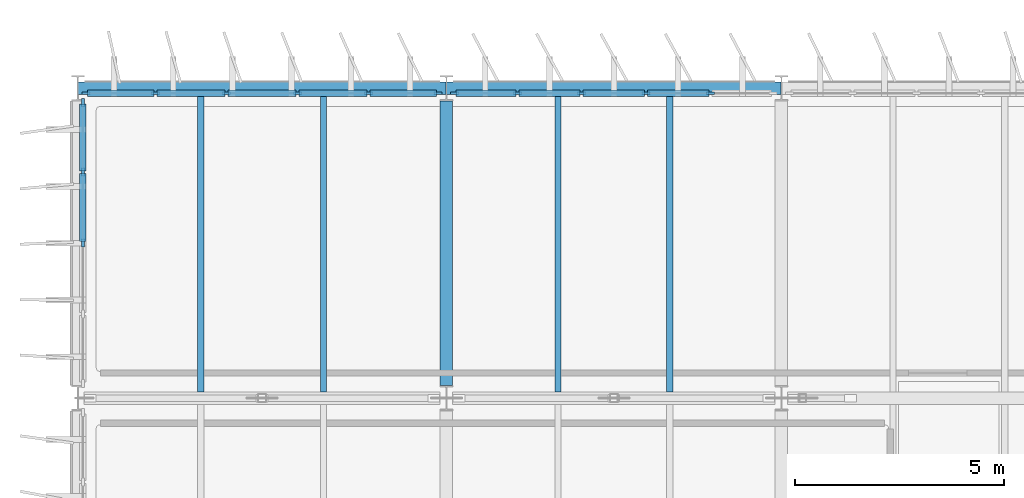
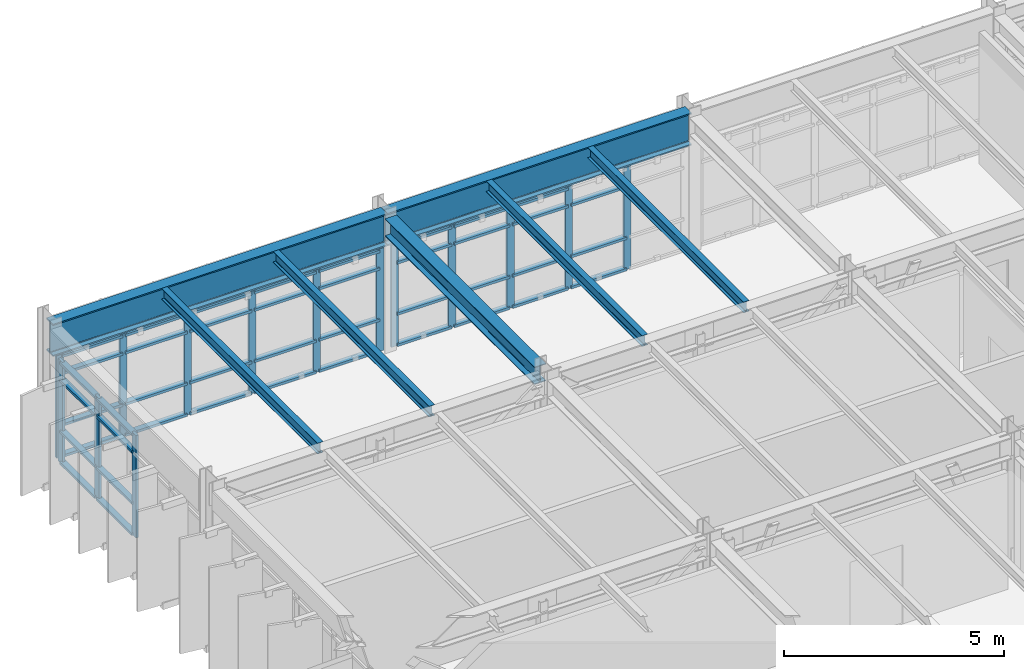
# One storey, part 15 of 56: 57 members, 7 beams, 3 elements without a shape of their own.
"""IFC4 building model written with IfcOpenShell, lengths in metres."""

import ifcopenshell
import ifcopenshell.guid

model = None  # the IFC model being written
_history = None  # IfcOwnerHistory: only IFC2X3 demands one
_inside = {}  # id of a spatial element -> (the spatial element, [elements in it])
_under = {}  # id of a project, library or spatial element -> (it, [spatial elements below it])
_declared = {}  # id of a project -> (the project, [libraries it declares])
_typed = {}  # id of a type object -> (the type object, [elements of that type])
_made_of = {}  # id of a material, layer set ... -> (it, [elements and type objects made of it])


def new_model(schema):
    """Start an empty IFC model of exactly this schema.

    Asked for "IFC4X3", IfcOpenShell would pick the latest addendum, in which some entities
    have other attributes; the version numbers below select the first issue.
    IFC2X3 requires an IfcOwnerHistory on every rooted entity: one is made here for all.
    """
    global model, _history
    if schema == "IFC4X3":
        model = ifcopenshell.file(schema_version=(4, 3, 0, 0))
    else:
        model = ifcopenshell.file(schema=schema)
    _inside.clear()
    _under.clear()
    _declared.clear()
    _typed.clear()
    _made_of.clear()
    _history = None
    if model.schema == "IFC2X3":
        org = make("IfcOrganization", Name="unknown")
        user = make(
            "IfcPersonAndOrganization",
            ThePerson=make("IfcPerson", FamilyName="unknown"),
            TheOrganization=org,
        )
        app = make(
            "IfcApplication",
            ApplicationDeveloper=org,
            Version="unknown",
            ApplicationFullName="unknown",
            ApplicationIdentifier="unknown",
        )
        _history = make(
            "IfcOwnerHistory",
            OwningUser=user,
            OwningApplication=app,
            ChangeAction="ADDED",
            CreationDate=0,
        )
    return model


def make(cls, **values):
    """One entity of the class cls with the attributes given. An attribute that is None is left unset."""
    return model.create_entity(
        cls, **{name: value for name, value in values.items() if value is not None}
    )


def rooted(cls, **values):
    """An entity with a GlobalId (a new one), such as an element, a storey or a relation."""
    return make(cls, GlobalId=ifcopenshell.guid.new(), OwnerHistory=_history, **values)


def si_unit(unit_type, name, prefix=None):
    """IfcSIUnit, for example si_unit("LENGTHUNIT", "METRE", prefix="MILLI")."""
    return make("IfcSIUnit", UnitType=unit_type, Prefix=prefix, Name=name)


def assignment(units):
    """IfcUnitAssignment: the units of a project."""
    return None if units is None else make("IfcUnitAssignment", Units=units)


def point(xyz):
    """IfcCartesianPoint."""
    return None if xyz is None else make("IfcCartesianPoint", Coordinates=xyz)


def direction(xyz):
    """IfcDirection."""
    return None if xyz is None else make("IfcDirection", DirectionRatios=xyz)


def frame(location, z_axis=None, x_axis=None):
    """IfcAxis2Placement3D, a coordinate frame: its origin and axes. An axis left out is left unset."""
    return make(
        "IfcAxis2Placement3D",
        Location=point(location),
        Axis=direction(z_axis),
        RefDirection=direction(x_axis),
    )


def frame_2d(location, x_axis=None):
    """IfcAxis2Placement2D, a coordinate frame in the plane: its origin and x axis."""
    return make(
        "IfcAxis2Placement2D", Location=point(location), RefDirection=direction(x_axis)
    )


def origin():
    """The frame at (0, 0, 0) with its axes left unset."""
    return frame((0.0, 0.0, 0.0))


def origin_2d():
    """The frame at (0, 0) in the plane with its x axis left unset."""
    return frame_2d((0.0, 0.0))


def place(relative_to, where):
    """IfcLocalPlacement: puts the frame where relative to a parent placement (None: the world)."""
    return make(
        "IfcLocalPlacement", PlacementRelTo=relative_to, RelativePlacement=where
    )


def context(
    kind, dimensions, precision=None, world=None, true_north=None, identifier=None
):
    """IfcGeometricRepresentationContext, for example the 3D "Model" context."""
    return make(
        "IfcGeometricRepresentationContext",
        ContextIdentifier=identifier,
        ContextType=kind,
        CoordinateSpaceDimension=dimensions,
        Precision=precision,
        WorldCoordinateSystem=world,
        TrueNorth=true_north,
    )


def subcontext(parent, identifier, kind, view, scale=None):
    """IfcGeometricRepresentationSubContext, for example "Body" below "Model"."""
    return make(
        "IfcGeometricRepresentationSubContext",
        ContextIdentifier=identifier,
        ContextType=kind,
        ParentContext=parent,
        TargetScale=scale,
        TargetView=view,
    )


def project(units=None, contexts=None):
    """IfcProject with its units and contexts."""
    return rooted(
        "IfcProject",
        Name="project",
        RepresentationContexts=contexts,
        UnitsInContext=assignment(units),
    )


def spatial(cls, under=None, at=None, **own):
    """A site, building, storey or space (cls), placed at a placement, below another one or the project."""
    s = rooted(cls, ObjectPlacement=at, **own)
    if under is not None:
        _under.setdefault(under.id(), (under, []))[1].append(s)
    return s


def profile(cls, at=None, kind="AREA", **sizes):
    """A parametric profile (cls). Its sizes go by their IFC names, for example OverallWidth=200.0."""
    return make(cls, ProfileType=kind, Position=at, **sizes)


def rectangle(**sizes):
    """IfcRectangleProfileDef."""
    return profile("IfcRectangleProfileDef", **sizes)


def i_section(**sizes):
    """IfcIShapeProfileDef."""
    return profile("IfcIShapeProfileDef", **sizes)


def extrude(swept, where, along, depth):
    """IfcExtrudedAreaSolid: the profile swept, set in the frame where, extruded along a direction by depth."""
    return make(
        "IfcExtrudedAreaSolid",
        SweptArea=swept,
        Position=where,
        ExtrudedDirection=direction(along),
        Depth=depth,
    )


def shape(context_of_items, identifier, shape_type, items):
    """IfcShapeRepresentation: the items that make up one representation, for example the "Body"."""
    return make(
        "IfcShapeRepresentation",
        ContextOfItems=context_of_items,
        RepresentationIdentifier=identifier,
        RepresentationType=shape_type,
        Items=items,
    )


def material(Name=None, Category=None):
    """IfcMaterial."""
    return make("IfcMaterial", Name=Name, Category=Category)


def layer(
    of_material, thickness, ventilated=None, Name=None, Category=None, Priority=None
):
    """IfcMaterialLayer: one layer of a wall or slab, of a material (None: an air gap)."""
    return make(
        "IfcMaterialLayer",
        Material=of_material,
        LayerThickness=thickness,
        IsVentilated=ventilated,
        Name=Name,
        Category=Category,
        Priority=Priority,
    )


def layer_set(layers, Name=None):
    """IfcMaterialLayerSet."""
    return make("IfcMaterialLayerSet", MaterialLayers=layers, LayerSetName=Name)


def material_profile(
    of_material, cross_section, Name=None, Category=None, Priority=None
):
    """IfcMaterialProfile: a cross section and its material."""
    return make(
        "IfcMaterialProfile",
        Name=Name,
        Material=of_material,
        Profile=cross_section,
        Priority=Priority,
        Category=Category,
    )


def profile_set(profiles, Name=None, composite=None):
    """IfcMaterialProfileSet."""
    return make(
        "IfcMaterialProfileSet",
        Name=Name,
        MaterialProfiles=profiles,
        CompositeProfile=composite,
    )


def made_of(thing, what):
    """Note that an element or type object is made of a material, layer set ...; save() writes the relation."""
    if what is not None:
        _made_of.setdefault(what.id(), (what, []))[1].append(thing)
    return thing


def type_object(cls, material=None, **own):
    """A type object (cls), such as IfcWallType, which elements share."""
    return made_of(rooted(cls, **own), material)


def element(
    cls,
    number,
    at=None,
    inside=None,
    cuts=None,
    type_object=None,
    material=None,
    context=None,
    identifier="Body",
    shape_type=None,
    held_by="IfcProductDefinitionShape",
    body=None,
    shapes=None,
    **own,
):
    """One element of the class cls, such as IfcWall. Its Tag is "e" and its number.

    at: its placement. inside: the storey or other place that contains it. cuts: it is an
    opening in that element (IfcRelVoidsElement). A single representation is given by context,
    identifier, shape_type and body (its items); several are given by shapes. held_by: the class
    of the entity that holds the representations. save() writes the other relations.
    """
    e = rooted(cls, Tag="e%d" % number, ObjectPlacement=at, **own)
    if body is not None:
        shapes = [shape(context, identifier, shape_type, body)]
    if shapes is not None:
        e.Representation = make(held_by, Representations=shapes)
    if inside is not None:
        _inside.setdefault(inside.id(), (inside, []))[1].append(e)
    if cuts is not None:
        rooted(
            "IfcRelVoidsElement", RelatingBuildingElement=cuts, RelatedOpeningElement=e
        )
    if type_object is not None:
        _typed.setdefault(type_object.id(), (type_object, []))[1].append(e)
    return made_of(e, material)


def aggregate(whole, parts):
    """IfcRelAggregates: a whole, such as a stair, and the parts it consists of."""
    return rooted("IfcRelAggregates", RelatingObject=whole, RelatedObjects=parts)


def save(model, path):
    """Write the relations noted so far, then the file.

    IfcRelAggregates (storeys below a building ...), IfcRelContainedInSpatialStructure (elements
    in a storey), IfcRelDefinesByType, IfcRelAssociatesMaterial and IfcRelDeclares: one each for
    every whole, place, type object, material and project.
    """
    for whole, parts in _under.values():
        aggregate(whole, parts)
    for where, things in _inside.values():
        rooted(
            "IfcRelContainedInSpatialStructure",
            RelatedElements=things,
            RelatingStructure=where,
        )
    for kind, things in _typed.values():
        rooted("IfcRelDefinesByType", RelatedObjects=things, RelatingType=kind)
    for what, things in _made_of.values():
        rooted("IfcRelAssociatesMaterial", RelatedObjects=things, RelatingMaterial=what)
    for by, libraries in _declared.values():
        rooted("IfcRelDeclares", RelatingContext=by, RelatedDefinitions=libraries)
    model.write(path)


model = new_model("IFC4")

# Units and contexts
model_context = context("Model", 3, precision=1e-05, world=origin(), true_north=direction((0.0, 1.0)))
body_context = subcontext(model_context, "Body", "Model", "MODEL_VIEW")
ifc_project = project(units=[si_unit("LENGTHUNIT", "METRE"), si_unit("AREAUNIT", "SQUARE_METRE"), si_unit("VOLUMEUNIT", "CUBIC_METRE"), si_unit("PLANEANGLEUNIT", "RADIAN"), si_unit("MASSUNIT", "GRAM", prefix="KILO")], contexts=[model_context])

# Site, building, storey
site_placement = place(None, origin())
site = spatial("IfcSite", under=ifc_project, at=site_placement, CompositionType="ELEMENT")
building_placement = place(site_placement, origin())
building = spatial("IfcBuilding", under=site, at=building_placement, Name="Valkorina Park Police Headquarters", CompositionType="ELEMENT")
storey_placement = place(building_placement, frame((0.0, 0.0, 14.10009765625)))
storey = spatial("IfcBuildingStorey", under=building, at=storey_placement, Name="L04", CompositionType="ELEMENT", Elevation=14.10009765625)

# Beams
ifc_material_1 = material(Name="Steel S355", Category="steel")
ifc_material_profile_1 = material_profile(ifc_material_1, i_section(OverallWidth=0.300048828125, OverallDepth=0.489990234375, WebThickness=0.011962890625, FlangeThickness=0.02294921875, FilletRadius=0.027099609375, at=origin_2d()), Name="HEA 500")
ifc_profile_set_1 = profile_set([ifc_material_profile_1], Name="Steel S355")
beam_type_1 = type_object("IfcBeamType", Name="BM-S355-HEA500-BM", PredefinedType="BEAM", material=ifc_profile_set_1)
beam_1_placement = place(storey_placement, frame((8.800048828125, 52.10009765625, 3.510009765625), z_axis=(0.0, 1.0, 0.0), x_axis=(-1.0, 0.0, 0.0)))
element("IfcBeam", 1, at=beam_1_placement, inside=storey, type_object=beam_type_1, Name="L04 Framing Beam 2306", PredefinedType="BEAM", context=body_context, shape_type="SweptSolid", body=[
    extrude(i_section(OverallWidth=0.300048828125, OverallDepth=0.489990234375, WebThickness=0.011962890625, FlangeThickness=0.02294921875, FilletRadius=0.027099609375, at=origin_2d()), origin(), (0.0, 0.0, 1.0), 6.7998046875),
])
ifc_material_profile_2 = material_profile(ifc_material_1, i_section(OverallWidth=0.300048828125, OverallDepth=0.89990234375, WebThickness=0.0185546875, FlangeThickness=0.034912109375, FilletRadius=0.030029296875, at=origin_2d()), Name="HEB 900")
ifc_profile_set_2 = profile_set([ifc_material_profile_2], Name="Steel S355")
beam_type_2 = type_object("IfcBeamType", Name="BM-S355-HEB900-EXT", PredefinedType="SPANDREL", material=ifc_profile_set_2)
beam_2_placement = place(storey_placement, frame((0.0078125, 59.199951171875, 3.304931640625), z_axis=(1.0, 0.0, 0.0), x_axis=(0.0, 1.0, 0.0)))
element("IfcBeam", 2, at=beam_2_placement, inside=storey, type_object=beam_type_2, Name="L04 Framing Beam 2249", PredefinedType="SPANDREL", context=body_context, shape_type="SweptSolid", body=[
    extrude(i_section(OverallWidth=0.300048828125, OverallDepth=0.89990234375, WebThickness=0.0185546875, FlangeThickness=0.034912109375, FilletRadius=0.030029296875, at=origin_2d()), origin(), (0.0, 0.0, 1.0), 8.784423828125),
])
beam_3_placement = place(storey_placement, frame((8.8076171875, 59.199951171875, 3.304931640625), z_axis=(1.0, 0.0, 0.0), x_axis=(0.0, 1.0, 0.0)))
element("IfcBeam", 3, at=beam_3_placement, inside=storey, type_object=beam_type_2, Name="L04 Framing Beam 2250", PredefinedType="SPANDREL", context=body_context, shape_type="SweptSolid", body=[
    extrude(i_section(OverallWidth=0.300048828125, OverallDepth=0.89990234375, WebThickness=0.0185546875, FlangeThickness=0.034912109375, FilletRadius=0.030029296875, at=origin_2d()), origin(), (0.0, 0.0, 1.0), 7.984619140625),
])
ifc_material_profile_3 = material_profile(ifc_material_1, i_section(OverallWidth=0.14990234375, OverallDepth=0.300048828125, WebThickness=0.007080078125, FlangeThickness=0.0107421875, FilletRadius=0.014892578125, at=origin_2d()), Name="IPE 300")
ifc_profile_set_3 = profile_set([ifc_material_profile_3], Name="Steel S355")
beam_type_3 = type_object("IfcBeamType", Name="BM-S355-IPE300-JST", PredefinedType="JOIST", material=ifc_profile_set_3)
for number, where, z_axis, x_axis, name in (
    (4, (2.933349609375, 51.949951171875, 3.60498046875), (0.0, 1.0, 0.0), (-1.0, 0.0, 0.0), "L04 Framing Beam 2298"),
    (5, (5.86669921875, 51.949951171875, 3.60498046875), (0.0, 1.0, 0.0), (-1.0, 0.0, 0.0), "L04 Framing Beam 2299"),
    (6, (11.466796875, 51.949951171875, 3.60498046875), (0.0, 1.0, 0.0), (-1.0, 0.0, 0.0), "L04 Framing Beam 2307"),
    (7, (14.13330078125, 51.949951171875, 3.60498046875), (0.0, 1.0, 0.0), (-1.0, 0.0, 0.0), "L04 Framing Beam 2308"),
):
    element("IfcBeam", number, at=place(storey_placement, frame(where, z_axis=z_axis, x_axis=x_axis)), inside=storey, type_object=beam_type_3, Name=name, PredefinedType="JOIST", context=body_context, shape_type="SweptSolid", body=[
        extrude(i_section(OverallWidth=0.14990234375, OverallDepth=0.300048828125, WebThickness=0.007080078125, FlangeThickness=0.0107421875, FilletRadius=0.014892578125, at=origin_2d()), origin(), (0.0, 0.0, 1.0), 7.10009765625),
    ])

# Curtain wall, members
ifc_material_2 = material(Name="Thermally broken aluminium AW-6060", Category="aluminium")
ifc_layer_1 = layer(ifc_material_2, 0.18994140625)
ifc_layer_set_1 = layer_set([ifc_layer_1], Name="Thermally broken aluminium AW-6060")
curtain_wall_type_1 = type_object("IfcCurtainWallType", Name="CW-V5-8480x2840", PredefinedType="NOTDEFINED", material=ifc_layer_set_1)
curtain_wall_1_placement = place(storey_placement, origin())
curtain_wall_1 = element("IfcCurtainWall", 8, at=curtain_wall_1_placement, inside=storey, type_object=curtain_wall_type_1, Name="L04 Unitised Curtain Wall 030", PredefinedType="NOTDEFINED")
ifc_material_profile_4 = material_profile(ifc_material_2, rectangle(XDim=0.070068359375, YDim=0.18994140625, at=origin_2d()), Name="CWM-02 70x190")
ifc_profile_set_4 = profile_set([ifc_material_profile_4], Name="Thermally broken aluminium AW-6060")
member_type_1 = type_object("IfcMemberType", Name="CWM-70x190", PredefinedType="MULLION", material=ifc_profile_set_4)
member_1_placement = place(storey_placement, frame((0.195068359375, 59.080078125, 0.0), z_axis=(0.0, 0.0, 1.0), x_axis=(0.0, 1.0, 0.0)))
member_1 = element("IfcMember", 9, at=member_1_placement, type_object=member_type_1, Name="CW-V5-848-284 mullion 1", PredefinedType="MULLION", context=body_context, shape_type="SweptSolid", body=[
    extrude(rectangle(XDim=0.070068359375, YDim=0.18994140625, at=origin_2d()), origin(), (0.0, 0.0, 1.0), 2.844970703125),
])
member_2_placement = place(storey_placement, frame((1.85595703125, 59.080078125, 0.0), z_axis=(0.0, 0.0, 1.0), x_axis=(0.0, 1.0, 0.0)))
member_2 = element("IfcMember", 10, at=member_2_placement, type_object=member_type_1, Name="CW-V5-848-284 mullion 2", PredefinedType="MULLION", context=body_context, shape_type="SweptSolid", body=[
    extrude(rectangle(XDim=0.070068359375, YDim=0.18994140625, at=origin_2d()), origin(), (0.0, 0.0, 1.0), 2.844970703125),
])
member_3_placement = place(storey_placement, frame((3.552001953125, 59.080078125, 0.0), z_axis=(0.0, 0.0, 1.0), x_axis=(0.0, 1.0, 0.0)))
member_3 = element("IfcMember", 11, at=member_3_placement, type_object=member_type_1, Name="CW-V5-848-284 mullion 3", PredefinedType="MULLION", context=body_context, shape_type="SweptSolid", body=[
    extrude(rectangle(XDim=0.070068359375, YDim=0.18994140625, at=origin_2d()), origin(), (0.0, 0.0, 1.0), 2.844970703125),
])
member_4_placement = place(storey_placement, frame((5.248046875, 59.080078125, 0.0), z_axis=(0.0, 0.0, 1.0), x_axis=(0.0, 1.0, 0.0)))
member_4 = element("IfcMember", 12, at=member_4_placement, type_object=member_type_1, Name="CW-V5-848-284 mullion 4", PredefinedType="MULLION", context=body_context, shape_type="SweptSolid", body=[
    extrude(rectangle(XDim=0.070068359375, YDim=0.18994140625, at=origin_2d()), origin(), (0.0, 0.0, 1.0), 2.844970703125),
])
member_5_placement = place(storey_placement, frame((6.944091796875, 59.080078125, 0.0), z_axis=(0.0, 0.0, 1.0), x_axis=(0.0, 1.0, 0.0)))
member_5 = element("IfcMember", 13, at=member_5_placement, type_object=member_type_1, Name="CW-V5-848-284 mullion 5", PredefinedType="MULLION", context=body_context, shape_type="SweptSolid", body=[
    extrude(rectangle(XDim=0.070068359375, YDim=0.18994140625, at=origin_2d()), origin(), (0.0, 0.0, 1.0), 2.844970703125),
])
member_6_placement = place(storey_placement, frame((8.60498046875, 59.080078125, 0.0), z_axis=(0.0, 0.0, 1.0), x_axis=(0.0, 1.0, 0.0)))
member_6 = element("IfcMember", 14, at=member_6_placement, type_object=member_type_1, Name="CW-V5-848-284 mullion 6", PredefinedType="MULLION", context=body_context, shape_type="SweptSolid", body=[
    extrude(rectangle(XDim=0.070068359375, YDim=0.18994140625, at=origin_2d()), origin(), (0.0, 0.0, 1.0), 2.844970703125),
])

ifc_layer_2 = layer(ifc_material_2, 0.18994140625)
ifc_layer_set_2 = layer_set([ifc_layer_2], Name="Thermally broken aluminium AW-6060")
curtain_wall_type_2 = type_object("IfcCurtainWallType", Name="CW-V5-7680x2840", PredefinedType="NOTDEFINED", material=ifc_layer_set_2)
curtain_wall_2_placement = place(storey_placement, origin())
curtain_wall_2 = element("IfcCurtainWall", 15, at=curtain_wall_2_placement, inside=storey, type_object=curtain_wall_type_2, Name="L04 Unitised Curtain Wall 031", PredefinedType="NOTDEFINED")
member_7_placement = place(storey_placement, frame((8.9951171875, 59.080078125, 0.0), z_axis=(0.0, 0.0, 1.0), x_axis=(0.0, 1.0, 0.0)))
member_7 = element("IfcMember", 16, at=member_7_placement, type_object=member_type_1, Name="CW-V5-768-284 mullion 1", PredefinedType="MULLION", context=body_context, shape_type="SweptSolid", body=[
    extrude(rectangle(XDim=0.070068359375, YDim=0.18994140625, at=origin_2d()), origin(), (0.0, 0.0, 1.0), 2.844970703125),
])
member_8_placement = place(storey_placement, frame((10.49609375, 59.080078125, 0.0), z_axis=(0.0, 0.0, 1.0), x_axis=(0.0, 1.0, 0.0)))
member_8 = element("IfcMember", 17, at=member_8_placement, type_object=member_type_1, Name="CW-V5-768-284 mullion 2", PredefinedType="MULLION", context=body_context, shape_type="SweptSolid", body=[
    extrude(rectangle(XDim=0.070068359375, YDim=0.18994140625, at=origin_2d()), origin(), (0.0, 0.0, 1.0), 2.844970703125),
])
member_9_placement = place(storey_placement, frame((12.031982421875, 59.080078125, 0.0), z_axis=(0.0, 0.0, 1.0), x_axis=(0.0, 1.0, 0.0)))
member_9 = element("IfcMember", 18, at=member_9_placement, type_object=member_type_1, Name="CW-V5-768-284 mullion 3", PredefinedType="MULLION", context=body_context, shape_type="SweptSolid", body=[
    extrude(rectangle(XDim=0.070068359375, YDim=0.18994140625, at=origin_2d()), origin(), (0.0, 0.0, 1.0), 2.844970703125),
])
member_10_placement = place(storey_placement, frame((13.568115234375, 59.080078125, 0.0), z_axis=(0.0, 0.0, 1.0), x_axis=(0.0, 1.0, 0.0)))
member_10 = element("IfcMember", 19, at=member_10_placement, type_object=member_type_1, Name="CW-V5-768-284 mullion 4", PredefinedType="MULLION", context=body_context, shape_type="SweptSolid", body=[
    extrude(rectangle(XDim=0.070068359375, YDim=0.18994140625, at=origin_2d()), origin(), (0.0, 0.0, 1.0), 2.844970703125),
])
member_11_placement = place(storey_placement, frame((15.10400390625, 59.080078125, 0.0), z_axis=(0.0, 0.0, 1.0), x_axis=(0.0, 1.0, 0.0)))
member_11 = element("IfcMember", 20, at=member_11_placement, type_object=member_type_1, Name="CW-V5-768-284 mullion 5", PredefinedType="MULLION", context=body_context, shape_type="SweptSolid", body=[
    extrude(rectangle(XDim=0.070068359375, YDim=0.18994140625, at=origin_2d()), origin(), (0.0, 0.0, 1.0), 2.844970703125),
])

ifc_layer_3 = layer(ifc_material_2, 0.18994140625)
ifc_layer_set_3 = layer_set([ifc_layer_3], Name="Thermally broken aluminium AW-6060")
curtain_wall_type_3 = type_object("IfcCurtainWallType", Name="CW-V5-6780x2840", PredefinedType="NOTDEFINED", material=ifc_layer_set_3)
curtain_wall_3_placement = place(storey_placement, origin())
curtain_wall_3 = element("IfcCurtainWall", 21, at=curtain_wall_3_placement, inside=storey, type_object=curtain_wall_type_3, Name="L04 Unitised Curtain Wall 060", PredefinedType="NOTDEFINED")
member_12_placement = place(storey_placement, frame((0.1201171875, 55.5, 0.0), z_axis=(0.0, 0.0, 1.0), x_axis=(-1.0, 0.0, 0.0)))
member_12 = element("IfcMember", 22, at=member_12_placement, type_object=member_type_1, Name="CW-V5-678-284 mullion 3", PredefinedType="MULLION", context=body_context, shape_type="SweptSolid", body=[
    extrude(rectangle(XDim=0.070068359375, YDim=0.18994140625, at=origin_2d()), origin(), (0.0, 0.0, 1.0), 2.844970703125),
])
member_13_placement = place(storey_placement, frame((0.1201171875, 57.195068359375, 0.0), z_axis=(0.0, 0.0, 1.0), x_axis=(-1.0, 0.0, 0.0)))
member_13 = element("IfcMember", 23, at=member_13_placement, type_object=member_type_1, Name="CW-V5-678-284 mullion 4", PredefinedType="MULLION", context=body_context, shape_type="SweptSolid", body=[
    extrude(rectangle(XDim=0.070068359375, YDim=0.18994140625, at=origin_2d()), origin(), (0.0, 0.0, 1.0), 2.844970703125),
])
member_14_placement = place(storey_placement, frame((0.1201171875, 58.85498046875, 0.0), z_axis=(0.0, 0.0, 1.0), x_axis=(-1.0, 0.0, 0.0)))
member_14 = element("IfcMember", 24, at=member_14_placement, type_object=member_type_1, Name="CW-V5-678-284 mullion 5", PredefinedType="MULLION", context=body_context, shape_type="SweptSolid", body=[
    extrude(rectangle(XDim=0.070068359375, YDim=0.18994140625, at=origin_2d()), origin(), (0.0, 0.0, 1.0), 2.844970703125),
])

# Member
ifc_material_profile_5 = material_profile(ifc_material_2, rectangle(XDim=0.14990234375, YDim=0.070068359375, at=origin_2d()), Name="CWT-02 150x70")
ifc_profile_set_5 = profile_set([ifc_material_profile_5], Name="Thermally broken aluminium AW-6060")
member_type_2 = type_object("IfcMemberType", Name="CWT-150x70", PredefinedType="USERDEFINED", material=ifc_profile_set_5)
member_15_placement = place(storey_placement, frame((0.22998046875, 59.080078125, 0.034912109375), z_axis=(1.0, 0.0, 0.0), x_axis=(0.0, 1.0, 0.0)))
member_15 = element("IfcMember", 25, at=member_15_placement, type_object=member_type_2, Name="CW-V5-848-284 transom 1.1", ObjectType="TRANSOM", PredefinedType="USERDEFINED", context=body_context, shape_type="SweptSolid", body=[
    extrude(rectangle(XDim=0.14990234375, YDim=0.070068359375, at=origin_2d()), origin(), (0.0, 0.0, 1.0), 1.591064453125),
])

member_16_placement = place(storey_placement, frame((0.22998046875, 59.080078125, 0.89990234375), z_axis=(1.0, 0.0, 0.0), x_axis=(0.0, 1.0, 0.0)))
member_16 = element("IfcMember", 26, at=member_16_placement, type_object=member_type_2, Name="CW-V5-848-284 transom 1.2", ObjectType="TRANSOM", PredefinedType="USERDEFINED", context=body_context, shape_type="SweptSolid", body=[
    extrude(rectangle(XDim=0.14990234375, YDim=0.070068359375, at=origin_2d()), origin(), (0.0, 0.0, 1.0), 1.591064453125),
])

member_17_placement = place(storey_placement, frame((0.22998046875, 59.080078125, 2.324951171875), z_axis=(1.0, 0.0, 0.0), x_axis=(0.0, 1.0, 0.0)))
member_17 = element("IfcMember", 27, at=member_17_placement, type_object=member_type_2, Name="CW-V5-848-284 transom 1.3", ObjectType="TRANSOM", PredefinedType="USERDEFINED", context=body_context, shape_type="SweptSolid", body=[
    extrude(rectangle(XDim=0.14990234375, YDim=0.070068359375, at=origin_2d()), origin(), (0.0, 0.0, 1.0), 1.591064453125),
])

member_18_placement = place(storey_placement, frame((0.22998046875, 59.080078125, 2.809814453125), z_axis=(1.0, 0.0, 0.0), x_axis=(0.0, 1.0, 0.0)))
member_18 = element("IfcMember", 28, at=member_18_placement, type_object=member_type_2, Name="CW-V5-848-284 transom 1.4", ObjectType="TRANSOM", PredefinedType="USERDEFINED", context=body_context, shape_type="SweptSolid", body=[
    extrude(rectangle(XDim=0.14990234375, YDim=0.070068359375, at=origin_2d()), origin(), (0.0, 0.0, 1.0), 1.591064453125),
])

member_19_placement = place(storey_placement, frame((1.89111328125, 59.080078125, 0.034912109375), z_axis=(1.0, 0.0, 0.0), x_axis=(0.0, 1.0, 0.0)))
member_19 = element("IfcMember", 29, at=member_19_placement, type_object=member_type_2, Name="CW-V5-848-284 transom 2.1", ObjectType="TRANSOM", PredefinedType="USERDEFINED", context=body_context, shape_type="SweptSolid", body=[
    extrude(rectangle(XDim=0.14990234375, YDim=0.070068359375, at=origin_2d()), origin(), (0.0, 0.0, 1.0), 1.6259765625),
])

member_20_placement = place(storey_placement, frame((1.89111328125, 59.080078125, 0.89990234375), z_axis=(1.0, 0.0, 0.0), x_axis=(0.0, 1.0, 0.0)))
member_20 = element("IfcMember", 30, at=member_20_placement, type_object=member_type_2, Name="CW-V5-848-284 transom 2.2", ObjectType="TRANSOM", PredefinedType="USERDEFINED", context=body_context, shape_type="SweptSolid", body=[
    extrude(rectangle(XDim=0.14990234375, YDim=0.070068359375, at=origin_2d()), origin(), (0.0, 0.0, 1.0), 1.6259765625),
])

member_21_placement = place(storey_placement, frame((1.89111328125, 59.080078125, 2.324951171875), z_axis=(1.0, 0.0, 0.0), x_axis=(0.0, 1.0, 0.0)))
member_21 = element("IfcMember", 31, at=member_21_placement, type_object=member_type_2, Name="CW-V5-848-284 transom 2.3", ObjectType="TRANSOM", PredefinedType="USERDEFINED", context=body_context, shape_type="SweptSolid", body=[
    extrude(rectangle(XDim=0.14990234375, YDim=0.070068359375, at=origin_2d()), origin(), (0.0, 0.0, 1.0), 1.6259765625),
])

member_22_placement = place(storey_placement, frame((1.89111328125, 59.080078125, 2.809814453125), z_axis=(1.0, 0.0, 0.0), x_axis=(0.0, 1.0, 0.0)))
member_22 = element("IfcMember", 32, at=member_22_placement, type_object=member_type_2, Name="CW-V5-848-284 transom 2.4", ObjectType="TRANSOM", PredefinedType="USERDEFINED", context=body_context, shape_type="SweptSolid", body=[
    extrude(rectangle(XDim=0.14990234375, YDim=0.070068359375, at=origin_2d()), origin(), (0.0, 0.0, 1.0), 1.6259765625),
])

member_23_placement = place(storey_placement, frame((3.5869140625, 59.080078125, 0.034912109375), z_axis=(1.0, 0.0, 0.0), x_axis=(0.0, 1.0, 0.0)))
member_23 = element("IfcMember", 33, at=member_23_placement, type_object=member_type_2, Name="CW-V5-848-284 transom 3.1", ObjectType="TRANSOM", PredefinedType="USERDEFINED", context=body_context, shape_type="SweptSolid", body=[
    extrude(rectangle(XDim=0.14990234375, YDim=0.070068359375, at=origin_2d()), origin(), (0.0, 0.0, 1.0), 1.6259765625),
])

member_24_placement = place(storey_placement, frame((3.5869140625, 59.080078125, 0.89990234375), z_axis=(1.0, 0.0, 0.0), x_axis=(0.0, 1.0, 0.0)))
member_24 = element("IfcMember", 34, at=member_24_placement, type_object=member_type_2, Name="CW-V5-848-284 transom 3.2", ObjectType="TRANSOM", PredefinedType="USERDEFINED", context=body_context, shape_type="SweptSolid", body=[
    extrude(rectangle(XDim=0.14990234375, YDim=0.070068359375, at=origin_2d()), origin(), (0.0, 0.0, 1.0), 1.6259765625),
])

member_25_placement = place(storey_placement, frame((3.5869140625, 59.080078125, 2.324951171875), z_axis=(1.0, 0.0, 0.0), x_axis=(0.0, 1.0, 0.0)))
member_25 = element("IfcMember", 35, at=member_25_placement, type_object=member_type_2, Name="CW-V5-848-284 transom 3.3", ObjectType="TRANSOM", PredefinedType="USERDEFINED", context=body_context, shape_type="SweptSolid", body=[
    extrude(rectangle(XDim=0.14990234375, YDim=0.070068359375, at=origin_2d()), origin(), (0.0, 0.0, 1.0), 1.6259765625),
])

member_26_placement = place(storey_placement, frame((3.5869140625, 59.080078125, 2.809814453125), z_axis=(1.0, 0.0, 0.0), x_axis=(0.0, 1.0, 0.0)))
member_26 = element("IfcMember", 36, at=member_26_placement, type_object=member_type_2, Name="CW-V5-848-284 transom 3.4", ObjectType="TRANSOM", PredefinedType="USERDEFINED", context=body_context, shape_type="SweptSolid", body=[
    extrude(rectangle(XDim=0.14990234375, YDim=0.070068359375, at=origin_2d()), origin(), (0.0, 0.0, 1.0), 1.6259765625),
])

member_27_placement = place(storey_placement, frame((5.282958984375, 59.080078125, 0.034912109375), z_axis=(1.0, 0.0, 0.0), x_axis=(0.0, 1.0, 0.0)))
member_27 = element("IfcMember", 37, at=member_27_placement, type_object=member_type_2, Name="CW-V5-848-284 transom 4.1", ObjectType="TRANSOM", PredefinedType="USERDEFINED", context=body_context, shape_type="SweptSolid", body=[
    extrude(rectangle(XDim=0.14990234375, YDim=0.070068359375, at=origin_2d()), origin(), (0.0, 0.0, 1.0), 1.6259765625),
])

member_28_placement = place(storey_placement, frame((5.282958984375, 59.080078125, 0.89990234375), z_axis=(1.0, 0.0, 0.0), x_axis=(0.0, 1.0, 0.0)))
member_28 = element("IfcMember", 38, at=member_28_placement, type_object=member_type_2, Name="CW-V5-848-284 transom 4.2", ObjectType="TRANSOM", PredefinedType="USERDEFINED", context=body_context, shape_type="SweptSolid", body=[
    extrude(rectangle(XDim=0.14990234375, YDim=0.070068359375, at=origin_2d()), origin(), (0.0, 0.0, 1.0), 1.6259765625),
])

member_29_placement = place(storey_placement, frame((5.282958984375, 59.080078125, 2.324951171875), z_axis=(1.0, 0.0, 0.0), x_axis=(0.0, 1.0, 0.0)))
member_29 = element("IfcMember", 39, at=member_29_placement, type_object=member_type_2, Name="CW-V5-848-284 transom 4.3", ObjectType="TRANSOM", PredefinedType="USERDEFINED", context=body_context, shape_type="SweptSolid", body=[
    extrude(rectangle(XDim=0.14990234375, YDim=0.070068359375, at=origin_2d()), origin(), (0.0, 0.0, 1.0), 1.6259765625),
])

member_30_placement = place(storey_placement, frame((5.282958984375, 59.080078125, 2.809814453125), z_axis=(1.0, 0.0, 0.0), x_axis=(0.0, 1.0, 0.0)))
member_30 = element("IfcMember", 40, at=member_30_placement, type_object=member_type_2, Name="CW-V5-848-284 transom 4.4", ObjectType="TRANSOM", PredefinedType="USERDEFINED", context=body_context, shape_type="SweptSolid", body=[
    extrude(rectangle(XDim=0.14990234375, YDim=0.070068359375, at=origin_2d()), origin(), (0.0, 0.0, 1.0), 1.6259765625),
])

member_31_placement = place(storey_placement, frame((6.97900390625, 59.080078125, 0.034912109375), z_axis=(1.0, 0.0, 0.0), x_axis=(0.0, 1.0, 0.0)))
member_31 = element("IfcMember", 41, at=member_31_placement, type_object=member_type_2, Name="CW-V5-848-284 transom 5.1", ObjectType="TRANSOM", PredefinedType="USERDEFINED", context=body_context, shape_type="SweptSolid", body=[
    extrude(rectangle(XDim=0.14990234375, YDim=0.070068359375, at=origin_2d()), origin(), (0.0, 0.0, 1.0), 1.591064453125),
])

member_32_placement = place(storey_placement, frame((6.97900390625, 59.080078125, 0.89990234375), z_axis=(1.0, 0.0, 0.0), x_axis=(0.0, 1.0, 0.0)))
member_32 = element("IfcMember", 42, at=member_32_placement, type_object=member_type_2, Name="CW-V5-848-284 transom 5.2", ObjectType="TRANSOM", PredefinedType="USERDEFINED", context=body_context, shape_type="SweptSolid", body=[
    extrude(rectangle(XDim=0.14990234375, YDim=0.070068359375, at=origin_2d()), origin(), (0.0, 0.0, 1.0), 1.591064453125),
])

member_33_placement = place(storey_placement, frame((6.97900390625, 59.080078125, 2.324951171875), z_axis=(1.0, 0.0, 0.0), x_axis=(0.0, 1.0, 0.0)))
member_33 = element("IfcMember", 43, at=member_33_placement, type_object=member_type_2, Name="CW-V5-848-284 transom 5.3", ObjectType="TRANSOM", PredefinedType="USERDEFINED", context=body_context, shape_type="SweptSolid", body=[
    extrude(rectangle(XDim=0.14990234375, YDim=0.070068359375, at=origin_2d()), origin(), (0.0, 0.0, 1.0), 1.591064453125),
])

member_34_placement = place(storey_placement, frame((6.97900390625, 59.080078125, 2.809814453125), z_axis=(1.0, 0.0, 0.0), x_axis=(0.0, 1.0, 0.0)))
member_34 = element("IfcMember", 44, at=member_34_placement, type_object=member_type_2, Name="CW-V5-848-284 transom 5.4", ObjectType="TRANSOM", PredefinedType="USERDEFINED", context=body_context, shape_type="SweptSolid", body=[
    extrude(rectangle(XDim=0.14990234375, YDim=0.070068359375, at=origin_2d()), origin(), (0.0, 0.0, 1.0), 1.591064453125),
])

aggregate(curtain_wall_1, [member_1, member_2, member_3, member_4, member_5, member_6, member_15, member_16, member_17, member_18, member_19, member_20, member_21, member_22, member_23, member_24, member_25, member_26, member_27, member_28, member_29, member_30, member_31, member_32, member_33, member_34])

member_35_placement = place(storey_placement, frame((9.030029296875, 59.080078125, 0.034912109375), z_axis=(1.0, 0.0, 0.0), x_axis=(0.0, 1.0, 0.0)))
member_35 = element("IfcMember", 45, at=member_35_placement, type_object=member_type_2, Name="CW-V5-768-284 transom 1.1", ObjectType="TRANSOM", PredefinedType="USERDEFINED", context=body_context, shape_type="SweptSolid", body=[
    extrude(rectangle(XDim=0.14990234375, YDim=0.070068359375, at=origin_2d()), origin(), (0.0, 0.0, 1.0), 1.430908203125),
])

member_36_placement = place(storey_placement, frame((9.030029296875, 59.080078125, 0.89990234375), z_axis=(1.0, 0.0, 0.0), x_axis=(0.0, 1.0, 0.0)))
member_36 = element("IfcMember", 46, at=member_36_placement, type_object=member_type_2, Name="CW-V5-768-284 transom 1.2", ObjectType="TRANSOM", PredefinedType="USERDEFINED", context=body_context, shape_type="SweptSolid", body=[
    extrude(rectangle(XDim=0.14990234375, YDim=0.070068359375, at=origin_2d()), origin(), (0.0, 0.0, 1.0), 1.430908203125),
])

member_37_placement = place(storey_placement, frame((9.030029296875, 59.080078125, 2.324951171875), z_axis=(1.0, 0.0, 0.0), x_axis=(0.0, 1.0, 0.0)))
member_37 = element("IfcMember", 47, at=member_37_placement, type_object=member_type_2, Name="CW-V5-768-284 transom 1.3", ObjectType="TRANSOM", PredefinedType="USERDEFINED", context=body_context, shape_type="SweptSolid", body=[
    extrude(rectangle(XDim=0.14990234375, YDim=0.070068359375, at=origin_2d()), origin(), (0.0, 0.0, 1.0), 1.430908203125),
])

member_38_placement = place(storey_placement, frame((9.030029296875, 59.080078125, 2.809814453125), z_axis=(1.0, 0.0, 0.0), x_axis=(0.0, 1.0, 0.0)))
member_38 = element("IfcMember", 48, at=member_38_placement, type_object=member_type_2, Name="CW-V5-768-284 transom 1.4", ObjectType="TRANSOM", PredefinedType="USERDEFINED", context=body_context, shape_type="SweptSolid", body=[
    extrude(rectangle(XDim=0.14990234375, YDim=0.070068359375, at=origin_2d()), origin(), (0.0, 0.0, 1.0), 1.430908203125),
])

member_39_placement = place(storey_placement, frame((10.531005859375, 59.080078125, 0.034912109375), z_axis=(1.0, 0.0, 0.0), x_axis=(0.0, 1.0, 0.0)))
member_39 = element("IfcMember", 49, at=member_39_placement, type_object=member_type_2, Name="CW-V5-768-284 transom 2.1", ObjectType="TRANSOM", PredefinedType="USERDEFINED", context=body_context, shape_type="SweptSolid", body=[
    extrude(rectangle(XDim=0.14990234375, YDim=0.070068359375, at=origin_2d()), origin(), (0.0, 0.0, 1.0), 1.466064453125),
])

member_40_placement = place(storey_placement, frame((10.531005859375, 59.080078125, 0.89990234375), z_axis=(1.0, 0.0, 0.0), x_axis=(0.0, 1.0, 0.0)))
member_40 = element("IfcMember", 50, at=member_40_placement, type_object=member_type_2, Name="CW-V5-768-284 transom 2.2", ObjectType="TRANSOM", PredefinedType="USERDEFINED", context=body_context, shape_type="SweptSolid", body=[
    extrude(rectangle(XDim=0.14990234375, YDim=0.070068359375, at=origin_2d()), origin(), (0.0, 0.0, 1.0), 1.466064453125),
])

member_41_placement = place(storey_placement, frame((10.531005859375, 59.080078125, 2.324951171875), z_axis=(1.0, 0.0, 0.0), x_axis=(0.0, 1.0, 0.0)))
member_41 = element("IfcMember", 51, at=member_41_placement, type_object=member_type_2, Name="CW-V5-768-284 transom 2.3", ObjectType="TRANSOM", PredefinedType="USERDEFINED", context=body_context, shape_type="SweptSolid", body=[
    extrude(rectangle(XDim=0.14990234375, YDim=0.070068359375, at=origin_2d()), origin(), (0.0, 0.0, 1.0), 1.466064453125),
])

member_42_placement = place(storey_placement, frame((10.531005859375, 59.080078125, 2.809814453125), z_axis=(1.0, 0.0, 0.0), x_axis=(0.0, 1.0, 0.0)))
member_42 = element("IfcMember", 52, at=member_42_placement, type_object=member_type_2, Name="CW-V5-768-284 transom 2.4", ObjectType="TRANSOM", PredefinedType="USERDEFINED", context=body_context, shape_type="SweptSolid", body=[
    extrude(rectangle(XDim=0.14990234375, YDim=0.070068359375, at=origin_2d()), origin(), (0.0, 0.0, 1.0), 1.466064453125),
])

member_43_placement = place(storey_placement, frame((12.06689453125, 59.080078125, 0.034912109375), z_axis=(1.0, 0.0, 0.0), x_axis=(0.0, 1.0, 0.0)))
member_43 = element("IfcMember", 53, at=member_43_placement, type_object=member_type_2, Name="CW-V5-768-284 transom 3.1", ObjectType="TRANSOM", PredefinedType="USERDEFINED", context=body_context, shape_type="SweptSolid", body=[
    extrude(rectangle(XDim=0.14990234375, YDim=0.070068359375, at=origin_2d()), origin(), (0.0, 0.0, 1.0), 1.466064453125),
])

member_44_placement = place(storey_placement, frame((12.06689453125, 59.080078125, 0.89990234375), z_axis=(1.0, 0.0, 0.0), x_axis=(0.0, 1.0, 0.0)))
member_44 = element("IfcMember", 54, at=member_44_placement, type_object=member_type_2, Name="CW-V5-768-284 transom 3.2", ObjectType="TRANSOM", PredefinedType="USERDEFINED", context=body_context, shape_type="SweptSolid", body=[
    extrude(rectangle(XDim=0.14990234375, YDim=0.070068359375, at=origin_2d()), origin(), (0.0, 0.0, 1.0), 1.466064453125),
])

member_45_placement = place(storey_placement, frame((12.06689453125, 59.080078125, 2.324951171875), z_axis=(1.0, 0.0, 0.0), x_axis=(0.0, 1.0, 0.0)))
member_45 = element("IfcMember", 55, at=member_45_placement, type_object=member_type_2, Name="CW-V5-768-284 transom 3.3", ObjectType="TRANSOM", PredefinedType="USERDEFINED", context=body_context, shape_type="SweptSolid", body=[
    extrude(rectangle(XDim=0.14990234375, YDim=0.070068359375, at=origin_2d()), origin(), (0.0, 0.0, 1.0), 1.466064453125),
])

member_46_placement = place(storey_placement, frame((12.06689453125, 59.080078125, 2.809814453125), z_axis=(1.0, 0.0, 0.0), x_axis=(0.0, 1.0, 0.0)))
member_46 = element("IfcMember", 56, at=member_46_placement, type_object=member_type_2, Name="CW-V5-768-284 transom 3.4", ObjectType="TRANSOM", PredefinedType="USERDEFINED", context=body_context, shape_type="SweptSolid", body=[
    extrude(rectangle(XDim=0.14990234375, YDim=0.070068359375, at=origin_2d()), origin(), (0.0, 0.0, 1.0), 1.466064453125),
])

member_47_placement = place(storey_placement, frame((13.60302734375, 59.080078125, 0.034912109375), z_axis=(1.0, 0.0, 0.0), x_axis=(0.0, 1.0, 0.0)))
member_47 = element("IfcMember", 57, at=member_47_placement, type_object=member_type_2, Name="CW-V5-768-284 transom 4.1", ObjectType="TRANSOM", PredefinedType="USERDEFINED", context=body_context, shape_type="SweptSolid", body=[
    extrude(rectangle(XDim=0.14990234375, YDim=0.070068359375, at=origin_2d()), origin(), (0.0, 0.0, 1.0), 1.466064453125),
])

member_48_placement = place(storey_placement, frame((13.60302734375, 59.080078125, 0.89990234375), z_axis=(1.0, 0.0, 0.0), x_axis=(0.0, 1.0, 0.0)))
member_48 = element("IfcMember", 58, at=member_48_placement, type_object=member_type_2, Name="CW-V5-768-284 transom 4.2", ObjectType="TRANSOM", PredefinedType="USERDEFINED", context=body_context, shape_type="SweptSolid", body=[
    extrude(rectangle(XDim=0.14990234375, YDim=0.070068359375, at=origin_2d()), origin(), (0.0, 0.0, 1.0), 1.466064453125),
])

member_49_placement = place(storey_placement, frame((13.60302734375, 59.080078125, 2.324951171875), z_axis=(1.0, 0.0, 0.0), x_axis=(0.0, 1.0, 0.0)))
member_49 = element("IfcMember", 59, at=member_49_placement, type_object=member_type_2, Name="CW-V5-768-284 transom 4.3", ObjectType="TRANSOM", PredefinedType="USERDEFINED", context=body_context, shape_type="SweptSolid", body=[
    extrude(rectangle(XDim=0.14990234375, YDim=0.070068359375, at=origin_2d()), origin(), (0.0, 0.0, 1.0), 1.466064453125),
])

aggregate(curtain_wall_2, [member_7, member_8, member_9, member_10, member_11, member_35, member_36, member_37, member_38, member_39, member_40, member_41, member_42, member_43, member_44, member_45, member_46, member_47, member_48, member_49])

member_50_placement = place(storey_placement, frame((0.1201171875, 55.534912109375, 0.034912109375), z_axis=(0.0, 1.0, 0.0), x_axis=(-1.0, 0.0, 0.0)))
member_50 = element("IfcMember", 60, at=member_50_placement, type_object=member_type_2, Name="CW-V5-678-284 transom 3.1", ObjectType="TRANSOM", PredefinedType="USERDEFINED", context=body_context, shape_type="SweptSolid", body=[
    extrude(rectangle(XDim=0.14990234375, YDim=0.070068359375, at=origin_2d()), origin(), (0.0, 0.0, 1.0), 1.625),
])

member_51_placement = place(storey_placement, frame((0.1201171875, 55.534912109375, 0.89990234375), z_axis=(0.0, 1.0, 0.0), x_axis=(-1.0, 0.0, 0.0)))
member_51 = element("IfcMember", 61, at=member_51_placement, type_object=member_type_2, Name="CW-V5-678-284 transom 3.2", ObjectType="TRANSOM", PredefinedType="USERDEFINED", context=body_context, shape_type="SweptSolid", body=[
    extrude(rectangle(XDim=0.14990234375, YDim=0.070068359375, at=origin_2d()), origin(), (0.0, 0.0, 1.0), 1.625),
])

member_52_placement = place(storey_placement, frame((0.1201171875, 55.534912109375, 2.324951171875), z_axis=(0.0, 1.0, 0.0), x_axis=(-1.0, 0.0, 0.0)))
member_52 = element("IfcMember", 62, at=member_52_placement, type_object=member_type_2, Name="CW-V5-678-284 transom 3.3", ObjectType="TRANSOM", PredefinedType="USERDEFINED", context=body_context, shape_type="SweptSolid", body=[
    extrude(rectangle(XDim=0.14990234375, YDim=0.070068359375, at=origin_2d()), origin(), (0.0, 0.0, 1.0), 1.625),
])

member_53_placement = place(storey_placement, frame((0.1201171875, 55.534912109375, 2.809814453125), z_axis=(0.0, 1.0, 0.0), x_axis=(-1.0, 0.0, 0.0)))
member_53 = element("IfcMember", 63, at=member_53_placement, type_object=member_type_2, Name="CW-V5-678-284 transom 3.4", ObjectType="TRANSOM", PredefinedType="USERDEFINED", context=body_context, shape_type="SweptSolid", body=[
    extrude(rectangle(XDim=0.14990234375, YDim=0.070068359375, at=origin_2d()), origin(), (0.0, 0.0, 1.0), 1.625),
])

member_54_placement = place(storey_placement, frame((0.1201171875, 57.22998046875, 0.034912109375), z_axis=(0.0, 1.0, 0.0), x_axis=(-1.0, 0.0, 0.0)))
member_54 = element("IfcMember", 64, at=member_54_placement, type_object=member_type_2, Name="CW-V5-678-284 transom 4.1", ObjectType="TRANSOM", PredefinedType="USERDEFINED", context=body_context, shape_type="SweptSolid", body=[
    extrude(rectangle(XDim=0.14990234375, YDim=0.070068359375, at=origin_2d()), origin(), (0.0, 0.0, 1.0), 1.590087890625),
])

member_55_placement = place(storey_placement, frame((0.1201171875, 57.22998046875, 0.89990234375), z_axis=(0.0, 1.0, 0.0), x_axis=(-1.0, 0.0, 0.0)))
member_55 = element("IfcMember", 65, at=member_55_placement, type_object=member_type_2, Name="CW-V5-678-284 transom 4.2", ObjectType="TRANSOM", PredefinedType="USERDEFINED", context=body_context, shape_type="SweptSolid", body=[
    extrude(rectangle(XDim=0.14990234375, YDim=0.070068359375, at=origin_2d()), origin(), (0.0, 0.0, 1.0), 1.590087890625),
])

member_56_placement = place(storey_placement, frame((0.1201171875, 57.22998046875, 2.324951171875), z_axis=(0.0, 1.0, 0.0), x_axis=(-1.0, 0.0, 0.0)))
member_56 = element("IfcMember", 66, at=member_56_placement, type_object=member_type_2, Name="CW-V5-678-284 transom 4.3", ObjectType="TRANSOM", PredefinedType="USERDEFINED", context=body_context, shape_type="SweptSolid", body=[
    extrude(rectangle(XDim=0.14990234375, YDim=0.070068359375, at=origin_2d()), origin(), (0.0, 0.0, 1.0), 1.590087890625),
])

member_57_placement = place(storey_placement, frame((0.1201171875, 57.22998046875, 2.809814453125), z_axis=(0.0, 1.0, 0.0), x_axis=(-1.0, 0.0, 0.0)))
member_57 = element("IfcMember", 67, at=member_57_placement, type_object=member_type_2, Name="CW-V5-678-284 transom 4.4", ObjectType="TRANSOM", PredefinedType="USERDEFINED", context=body_context, shape_type="SweptSolid", body=[
    extrude(rectangle(XDim=0.14990234375, YDim=0.070068359375, at=origin_2d()), origin(), (0.0, 0.0, 1.0), 1.590087890625),
])

aggregate(curtain_wall_3, [member_12, member_13, member_14, member_50, member_51, member_52, member_53, member_54, member_55, member_56, member_57])

save(model, "model.ifc")
